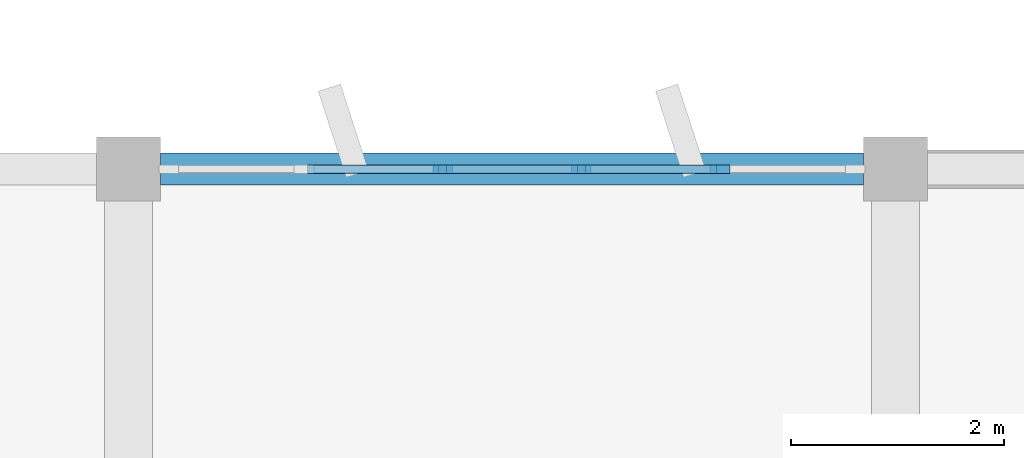
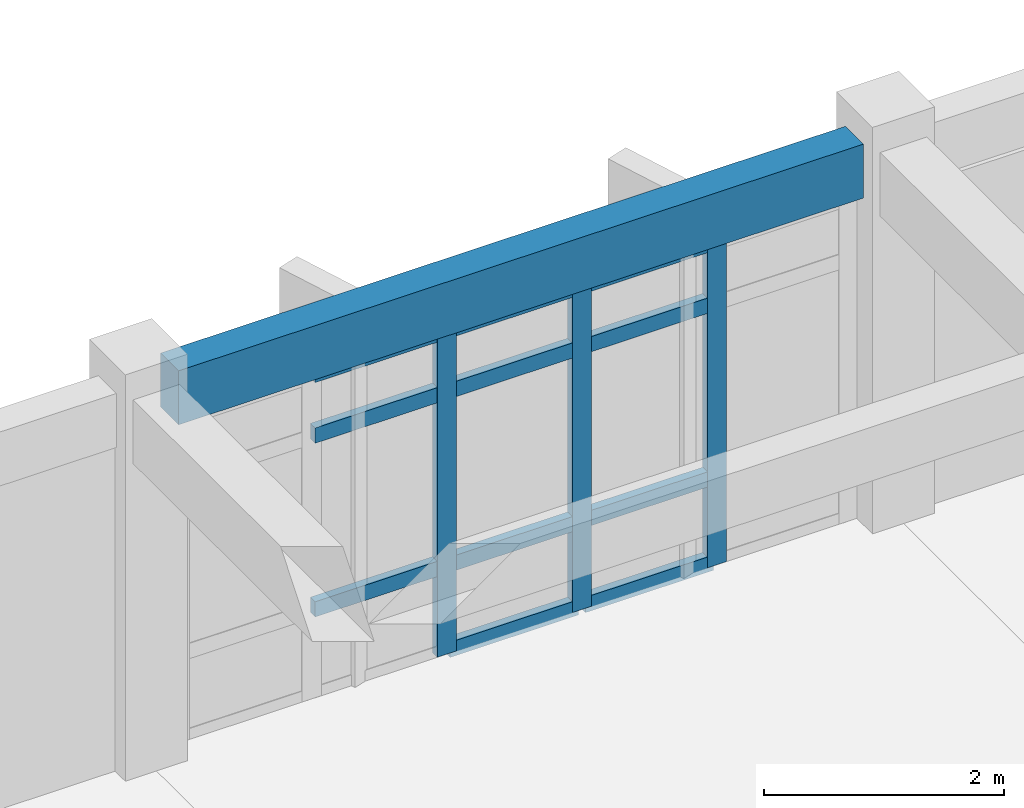
# One storey, part 21 of 62: 14 members, 1 beam, 1 element without a shape of its own.
"""IFC4 building model written with IfcOpenShell, lengths in metres."""

import ifcopenshell
import ifcopenshell.guid

model = None  # the IFC model being written
_history = None  # IfcOwnerHistory: only IFC2X3 demands one
_inside = {}  # id of a spatial element -> (the spatial element, [elements in it])
_under = {}  # id of a project, library or spatial element -> (it, [spatial elements below it])
_declared = {}  # id of a project -> (the project, [libraries it declares])
_typed = {}  # id of a type object -> (the type object, [elements of that type])
_made_of = {}  # id of a material, layer set ... -> (it, [elements and type objects made of it])


def new_model(schema):
    """Start an empty IFC model of exactly this schema.

    Asked for "IFC4X3", IfcOpenShell would pick the latest addendum, in which some entities
    have other attributes; the version numbers below select the first issue.
    IFC2X3 requires an IfcOwnerHistory on every rooted entity: one is made here for all.
    """
    global model, _history
    if schema == "IFC4X3":
        model = ifcopenshell.file(schema_version=(4, 3, 0, 0))
    else:
        model = ifcopenshell.file(schema=schema)
    _inside.clear()
    _under.clear()
    _declared.clear()
    _typed.clear()
    _made_of.clear()
    _history = None
    if model.schema == "IFC2X3":
        org = make("IfcOrganization", Name="unknown")
        user = make(
            "IfcPersonAndOrganization",
            ThePerson=make("IfcPerson", FamilyName="unknown"),
            TheOrganization=org,
        )
        app = make(
            "IfcApplication",
            ApplicationDeveloper=org,
            Version="unknown",
            ApplicationFullName="unknown",
            ApplicationIdentifier="unknown",
        )
        _history = make(
            "IfcOwnerHistory",
            OwningUser=user,
            OwningApplication=app,
            ChangeAction="ADDED",
            CreationDate=0,
        )
    return model


def make(cls, **values):
    """One entity of the class cls with the attributes given. An attribute that is None is left unset."""
    return model.create_entity(
        cls, **{name: value for name, value in values.items() if value is not None}
    )


def rooted(cls, **values):
    """An entity with a GlobalId (a new one), such as an element, a storey or a relation."""
    return make(cls, GlobalId=ifcopenshell.guid.new(), OwnerHistory=_history, **values)


def si_unit(unit_type, name, prefix=None):
    """IfcSIUnit, for example si_unit("LENGTHUNIT", "METRE", prefix="MILLI")."""
    return make("IfcSIUnit", UnitType=unit_type, Prefix=prefix, Name=name)


def assignment(units):
    """IfcUnitAssignment: the units of a project."""
    return None if units is None else make("IfcUnitAssignment", Units=units)


def point(xyz):
    """IfcCartesianPoint."""
    return None if xyz is None else make("IfcCartesianPoint", Coordinates=xyz)


def direction(xyz):
    """IfcDirection."""
    return None if xyz is None else make("IfcDirection", DirectionRatios=xyz)


def frame(location, z_axis=None, x_axis=None):
    """IfcAxis2Placement3D, a coordinate frame: its origin and axes. An axis left out is left unset."""
    return make(
        "IfcAxis2Placement3D",
        Location=point(location),
        Axis=direction(z_axis),
        RefDirection=direction(x_axis),
    )


def frame_2d(location, x_axis=None):
    """IfcAxis2Placement2D, a coordinate frame in the plane: its origin and x axis."""
    return make(
        "IfcAxis2Placement2D", Location=point(location), RefDirection=direction(x_axis)
    )


def origin():
    """The frame at (0, 0, 0) with its axes left unset."""
    return frame((0.0, 0.0, 0.0))


def origin_2d():
    """The frame at (0, 0) in the plane with its x axis left unset."""
    return frame_2d((0.0, 0.0))


def place(relative_to, where):
    """IfcLocalPlacement: puts the frame where relative to a parent placement (None: the world)."""
    return make(
        "IfcLocalPlacement", PlacementRelTo=relative_to, RelativePlacement=where
    )


def context(
    kind, dimensions, precision=None, world=None, true_north=None, identifier=None
):
    """IfcGeometricRepresentationContext, for example the 3D "Model" context."""
    return make(
        "IfcGeometricRepresentationContext",
        ContextIdentifier=identifier,
        ContextType=kind,
        CoordinateSpaceDimension=dimensions,
        Precision=precision,
        WorldCoordinateSystem=world,
        TrueNorth=true_north,
    )


def subcontext(parent, identifier, kind, view, scale=None):
    """IfcGeometricRepresentationSubContext, for example "Body" below "Model"."""
    return make(
        "IfcGeometricRepresentationSubContext",
        ContextIdentifier=identifier,
        ContextType=kind,
        ParentContext=parent,
        TargetScale=scale,
        TargetView=view,
    )


def project(units=None, contexts=None):
    """IfcProject with its units and contexts."""
    return rooted(
        "IfcProject",
        Name="project",
        RepresentationContexts=contexts,
        UnitsInContext=assignment(units),
    )


def spatial(cls, under=None, at=None, **own):
    """A site, building, storey or space (cls), placed at a placement, below another one or the project."""
    s = rooted(cls, ObjectPlacement=at, **own)
    if under is not None:
        _under.setdefault(under.id(), (under, []))[1].append(s)
    return s


def profile(cls, at=None, kind="AREA", **sizes):
    """A parametric profile (cls). Its sizes go by their IFC names, for example OverallWidth=200.0."""
    return make(cls, ProfileType=kind, Position=at, **sizes)


def rectangle(**sizes):
    """IfcRectangleProfileDef."""
    return profile("IfcRectangleProfileDef", **sizes)


def extrude(swept, where, along, depth):
    """IfcExtrudedAreaSolid: the profile swept, set in the frame where, extruded along a direction by depth."""
    return make(
        "IfcExtrudedAreaSolid",
        SweptArea=swept,
        Position=where,
        ExtrudedDirection=direction(along),
        Depth=depth,
    )


def shape(context_of_items, identifier, shape_type, items):
    """IfcShapeRepresentation: the items that make up one representation, for example the "Body"."""
    return make(
        "IfcShapeRepresentation",
        ContextOfItems=context_of_items,
        RepresentationIdentifier=identifier,
        RepresentationType=shape_type,
        Items=items,
    )


def material(Name=None, Category=None):
    """IfcMaterial."""
    return make("IfcMaterial", Name=Name, Category=Category)


def layer(
    of_material, thickness, ventilated=None, Name=None, Category=None, Priority=None
):
    """IfcMaterialLayer: one layer of a wall or slab, of a material (None: an air gap)."""
    return make(
        "IfcMaterialLayer",
        Material=of_material,
        LayerThickness=thickness,
        IsVentilated=ventilated,
        Name=Name,
        Category=Category,
        Priority=Priority,
    )


def layer_set(layers, Name=None):
    """IfcMaterialLayerSet."""
    return make("IfcMaterialLayerSet", MaterialLayers=layers, LayerSetName=Name)


def material_profile(
    of_material, cross_section, Name=None, Category=None, Priority=None
):
    """IfcMaterialProfile: a cross section and its material."""
    return make(
        "IfcMaterialProfile",
        Name=Name,
        Material=of_material,
        Profile=cross_section,
        Priority=Priority,
        Category=Category,
    )


def profile_set(profiles, Name=None, composite=None):
    """IfcMaterialProfileSet."""
    return make(
        "IfcMaterialProfileSet",
        Name=Name,
        MaterialProfiles=profiles,
        CompositeProfile=composite,
    )


def made_of(thing, what):
    """Note that an element or type object is made of a material, layer set ...; save() writes the relation."""
    if what is not None:
        _made_of.setdefault(what.id(), (what, []))[1].append(thing)
    return thing


def type_object(cls, material=None, **own):
    """A type object (cls), such as IfcWallType, which elements share."""
    return made_of(rooted(cls, **own), material)


def element(
    cls,
    number,
    at=None,
    inside=None,
    cuts=None,
    type_object=None,
    material=None,
    context=None,
    identifier="Body",
    shape_type=None,
    held_by="IfcProductDefinitionShape",
    body=None,
    shapes=None,
    **own,
):
    """One element of the class cls, such as IfcWall. Its Tag is "e" and its number.

    at: its placement. inside: the storey or other place that contains it. cuts: it is an
    opening in that element (IfcRelVoidsElement). A single representation is given by context,
    identifier, shape_type and body (its items); several are given by shapes. held_by: the class
    of the entity that holds the representations. save() writes the other relations.
    """
    e = rooted(cls, Tag="e%d" % number, ObjectPlacement=at, **own)
    if body is not None:
        shapes = [shape(context, identifier, shape_type, body)]
    if shapes is not None:
        e.Representation = make(held_by, Representations=shapes)
    if inside is not None:
        _inside.setdefault(inside.id(), (inside, []))[1].append(e)
    if cuts is not None:
        rooted(
            "IfcRelVoidsElement", RelatingBuildingElement=cuts, RelatedOpeningElement=e
        )
    if type_object is not None:
        _typed.setdefault(type_object.id(), (type_object, []))[1].append(e)
    return made_of(e, material)


def aggregate(whole, parts):
    """IfcRelAggregates: a whole, such as a stair, and the parts it consists of."""
    return rooted("IfcRelAggregates", RelatingObject=whole, RelatedObjects=parts)


def save(model, path):
    """Write the relations noted so far, then the file.

    IfcRelAggregates (storeys below a building ...), IfcRelContainedInSpatialStructure (elements
    in a storey), IfcRelDefinesByType, IfcRelAssociatesMaterial and IfcRelDeclares: one each for
    every whole, place, type object, material and project.
    """
    for whole, parts in _under.values():
        aggregate(whole, parts)
    for where, things in _inside.values():
        rooted(
            "IfcRelContainedInSpatialStructure",
            RelatedElements=things,
            RelatingStructure=where,
        )
    for kind, things in _typed.values():
        rooted("IfcRelDefinesByType", RelatedObjects=things, RelatingType=kind)
    for what, things in _made_of.values():
        rooted("IfcRelAssociatesMaterial", RelatedObjects=things, RelatingMaterial=what)
    for by, libraries in _declared.values():
        rooted("IfcRelDeclares", RelatingContext=by, RelatedDefinitions=libraries)
    model.write(path)


model = new_model("IFC4")

# Units and contexts
model_context = context("Model", 3, precision=1e-05, world=origin(), true_north=direction((0.0, 1.0)))
body_context = subcontext(model_context, "Body", "Model", "MODEL_VIEW")
ifc_project = project(units=[si_unit("LENGTHUNIT", "METRE"), si_unit("AREAUNIT", "SQUARE_METRE"), si_unit("VOLUMEUNIT", "CUBIC_METRE"), si_unit("PLANEANGLEUNIT", "RADIAN"), si_unit("MASSUNIT", "GRAM", prefix="KILO")], contexts=[model_context])

# Site, building, storey
site_placement = place(None, origin())
site = spatial("IfcSite", under=ifc_project, at=site_placement, CompositionType="ELEMENT")
building_placement = place(site_placement, origin())
building = spatial("IfcBuilding", under=site, at=building_placement, Name="Kavelor Marine Aquarium", CompositionType="ELEMENT")
storey_placement = place(building_placement, frame((0.0, 0.0, 13.5)))
storey = spatial("IfcBuildingStorey", under=building, at=storey_placement, Name="L03", CompositionType="ELEMENT", Elevation=13.5)

# Beam
ifc_material_1 = material(Name="Concrete C40/50", Category="concrete")
ifc_material_profile_1 = material_profile(ifc_material_1, rectangle(XDim=0.300048828125, YDim=0.550048828125, at=origin_2d()), Name="RC-SP 300x550")
ifc_profile_set_1 = profile_set([ifc_material_profile_1], Name="Concrete C40/50")
beam_type = type_object("IfcBeamType", Name="BM-SP2", PredefinedType="SPANDREL", material=ifc_profile_set_1)
beam_placement = place(storey_placement, frame((125.89990234375, 110.800048828125, 3.60498046875), z_axis=(1.0, 0.0, 0.0), x_axis=(0.0, 1.0, 0.0)))
element("IfcBeam", 1, at=beam_placement, inside=storey, type_object=beam_type, Name="bm:x:L03:L04:17_15", PredefinedType="SPANDREL", context=body_context, shape_type="SweptSolid", body=[
    extrude(rectangle(XDim=0.300048828125, YDim=0.550048828125, at=origin_2d()), origin(), (0.0, 0.0, 1.0), 6.60009765625),
])

# Curtain wall, members
ifc_material_2 = material(Name="Thermally Broken Aluminium and Low-E Glass", Category="aluminium")
ifc_layer = layer(ifc_material_2, 0.2041015625)
ifc_layer_set = layer_set([ifc_layer], Name="CW-SYS8")
curtain_wall_type = type_object("IfcCurtainWallType", Name="CW-SYS8", PredefinedType="USERDEFINED", material=ifc_layer_set)
curtain_wall_placement = place(storey_placement, origin())
curtain_wall = element("IfcCurtainWall", 2, at=curtain_wall_placement, inside=storey, type_object=curtain_wall_type, Name="cw:x:L03:17_15", ObjectType="Curtain Wall", PredefinedType="USERDEFINED")
ifc_material_3 = material(Name="Anodised Aluminium Alloy 6063-T6", Category="aluminium")
ifc_material_profile_2 = material_profile(ifc_material_3, rectangle(XDim=0.080078125, YDim=0.18505859375, at=origin_2d()), Name="CW-MUL 80x185")
ifc_profile_set_2 = profile_set([ifc_material_profile_2], Name="Anodised Aluminium Alloy 6063-T6")
member_type_1 = type_object("IfcMemberType", Name="CWM-2", PredefinedType="MULLION", material=ifc_profile_set_2)
member_1_placement = place(storey_placement, frame((128.549072265625, 110.800048828125, 0.0), z_axis=(0.0, 0.0, 1.0), x_axis=(0.0, 1.0, 0.0)))
member_1 = element("IfcMember", 3, at=member_1_placement, type_object=member_type_1, Name="CW08 mullion 3", PredefinedType="MULLION", context=body_context, shape_type="SweptSolid", body=[
    extrude(rectangle(XDim=0.080078125, YDim=0.18505859375, at=origin_2d()), origin(), (0.0, 0.0, 1.0), 3.320068359375),
])
member_2_placement = place(storey_placement, frame((129.85107421875, 110.800048828125, 0.0), z_axis=(0.0, 0.0, 1.0), x_axis=(0.0, 1.0, 0.0)))
member_2 = element("IfcMember", 4, at=member_2_placement, type_object=member_type_1, Name="CW08 mullion 4", PredefinedType="MULLION", context=body_context, shape_type="SweptSolid", body=[
    extrude(rectangle(XDim=0.080078125, YDim=0.18505859375, at=origin_2d()), origin(), (0.0, 0.0, 1.0), 3.320068359375),
])
member_3_placement = place(storey_placement, frame((131.153076171875, 110.800048828125, 0.0), z_axis=(0.0, 0.0, 1.0), x_axis=(0.0, 1.0, 0.0)))
member_3 = element("IfcMember", 5, at=member_3_placement, type_object=member_type_1, Name="CW08 mullion 5", PredefinedType="MULLION", context=body_context, shape_type="SweptSolid", body=[
    extrude(rectangle(XDim=0.080078125, YDim=0.18505859375, at=origin_2d()), origin(), (0.0, 0.0, 1.0), 3.320068359375),
])
ifc_material_4 = material(Name="Anodised Aluminium Alloy 6063-T6", Category="aluminium")
ifc_material_profile_3 = material_profile(ifc_material_4, rectangle(XDim=0.080078125, YDim=0.155029296875, at=origin_2d()), Name="CW-TRN 80x155")
ifc_profile_set_3 = profile_set([ifc_material_profile_3], Name="Anodised Aluminium Alloy 6063-T6")
member_type_2 = type_object("IfcMemberType", Name="CWT-2", PredefinedType="USERDEFINED", material=ifc_profile_set_3)
member_4_placement = place(storey_placement, frame((127.279541015625, 110.800048828125, 0.89990234375), z_axis=(1.0, 0.0, 0.0), x_axis=(0.0, 1.0, 0.0)))
member_4 = element("IfcMember", 6, at=member_4_placement, type_object=member_type_2, Name="CW08 transom 2.2", ObjectType="TRANSOM", PredefinedType="USERDEFINED", context=body_context, shape_type="SweptSolid", body=[
    extrude(rectangle(XDim=0.080078125, YDim=0.155029296875, at=origin_2d()), origin(), (0.0, 0.0, 1.0), 1.237060546875),
])
member_5_placement = place(storey_placement, frame((127.279541015625, 110.800048828125, 2.669921875), z_axis=(1.0, 0.0, 0.0), x_axis=(0.0, 1.0, 0.0)))
member_5 = element("IfcMember", 7, at=member_5_placement, type_object=member_type_2, Name="CW08 transom 2.3", ObjectType="TRANSOM", PredefinedType="USERDEFINED", context=body_context, shape_type="SweptSolid", body=[
    extrude(rectangle(XDim=0.080078125, YDim=0.155029296875, at=origin_2d()), origin(), (0.0, 0.0, 1.0), 1.237060546875),
])
member_6_placement = place(storey_placement, frame((127.279541015625, 110.800048828125, 3.28759765625), z_axis=(1.0, 0.0, 0.0), x_axis=(0.0, 1.0, 0.0)))
member_6 = element("IfcMember", 8, at=member_6_placement, type_object=member_type_2, Name="CW08 transom 2.4", ObjectType="TRANSOM", PredefinedType="USERDEFINED", context=body_context, shape_type="SweptSolid", body=[
    extrude(rectangle(XDim=0.080078125, YDim=0.155029296875, at=origin_2d()), origin(), (0.0, 0.0, 1.0), 1.237060546875),
])
member_7_placement = place(storey_placement, frame((128.58154296875, 110.800048828125, 0.032470703125), z_axis=(1.0, 0.0, 0.0), x_axis=(0.0, 1.0, 0.0)))
member_7 = element("IfcMember", 9, at=member_7_placement, type_object=member_type_2, Name="CW08 transom 3.1", ObjectType="TRANSOM", PredefinedType="USERDEFINED", context=body_context, shape_type="SweptSolid", body=[
    extrude(rectangle(XDim=0.080078125, YDim=0.155029296875, at=origin_2d()), origin(), (0.0, 0.0, 1.0), 1.237060546875),
])
member_8_placement = place(storey_placement, frame((128.58154296875, 110.800048828125, 0.89990234375), z_axis=(1.0, 0.0, 0.0), x_axis=(0.0, 1.0, 0.0)))
member_8 = element("IfcMember", 10, at=member_8_placement, type_object=member_type_2, Name="CW08 transom 3.2", ObjectType="TRANSOM", PredefinedType="USERDEFINED", context=body_context, shape_type="SweptSolid", body=[
    extrude(rectangle(XDim=0.080078125, YDim=0.155029296875, at=origin_2d()), origin(), (0.0, 0.0, 1.0), 1.237060546875),
])
member_9_placement = place(storey_placement, frame((128.58154296875, 110.800048828125, 2.669921875), z_axis=(1.0, 0.0, 0.0), x_axis=(0.0, 1.0, 0.0)))
member_9 = element("IfcMember", 11, at=member_9_placement, type_object=member_type_2, Name="CW08 transom 3.3", ObjectType="TRANSOM", PredefinedType="USERDEFINED", context=body_context, shape_type="SweptSolid", body=[
    extrude(rectangle(XDim=0.080078125, YDim=0.155029296875, at=origin_2d()), origin(), (0.0, 0.0, 1.0), 1.237060546875),
])
member_10_placement = place(storey_placement, frame((128.58154296875, 110.800048828125, 3.28759765625), z_axis=(1.0, 0.0, 0.0), x_axis=(0.0, 1.0, 0.0)))
member_10 = element("IfcMember", 12, at=member_10_placement, type_object=member_type_2, Name="CW08 transom 3.4", ObjectType="TRANSOM", PredefinedType="USERDEFINED", context=body_context, shape_type="SweptSolid", body=[
    extrude(rectangle(XDim=0.080078125, YDim=0.155029296875, at=origin_2d()), origin(), (0.0, 0.0, 1.0), 1.237060546875),
])
member_11_placement = place(storey_placement, frame((129.883544921875, 110.800048828125, 0.032470703125), z_axis=(1.0, 0.0, 0.0), x_axis=(0.0, 1.0, 0.0)))
member_11 = element("IfcMember", 13, at=member_11_placement, type_object=member_type_2, Name="CW08 transom 4.1", ObjectType="TRANSOM", PredefinedType="USERDEFINED", context=body_context, shape_type="SweptSolid", body=[
    extrude(rectangle(XDim=0.080078125, YDim=0.155029296875, at=origin_2d()), origin(), (0.0, 0.0, 1.0), 1.237060546875),
])
member_12_placement = place(storey_placement, frame((129.883544921875, 110.800048828125, 0.89990234375), z_axis=(1.0, 0.0, 0.0), x_axis=(0.0, 1.0, 0.0)))
member_12 = element("IfcMember", 14, at=member_12_placement, type_object=member_type_2, Name="CW08 transom 4.2", ObjectType="TRANSOM", PredefinedType="USERDEFINED", context=body_context, shape_type="SweptSolid", body=[
    extrude(rectangle(XDim=0.080078125, YDim=0.155029296875, at=origin_2d()), origin(), (0.0, 0.0, 1.0), 1.237060546875),
])
member_13_placement = place(storey_placement, frame((129.883544921875, 110.800048828125, 2.669921875), z_axis=(1.0, 0.0, 0.0), x_axis=(0.0, 1.0, 0.0)))
member_13 = element("IfcMember", 15, at=member_13_placement, type_object=member_type_2, Name="CW08 transom 4.3", ObjectType="TRANSOM", PredefinedType="USERDEFINED", context=body_context, shape_type="SweptSolid", body=[
    extrude(rectangle(XDim=0.080078125, YDim=0.155029296875, at=origin_2d()), origin(), (0.0, 0.0, 1.0), 1.237060546875),
])
member_14_placement = place(storey_placement, frame((129.883544921875, 110.800048828125, 3.28759765625), z_axis=(1.0, 0.0, 0.0), x_axis=(0.0, 1.0, 0.0)))
member_14 = element("IfcMember", 16, at=member_14_placement, type_object=member_type_2, Name="CW08 transom 4.4", ObjectType="TRANSOM", PredefinedType="USERDEFINED", context=body_context, shape_type="SweptSolid", body=[
    extrude(rectangle(XDim=0.080078125, YDim=0.155029296875, at=origin_2d()), origin(), (0.0, 0.0, 1.0), 1.237060546875),
])
aggregate(curtain_wall, [member_1, member_2, member_3, member_4, member_5, member_6, member_7, member_8, member_9, member_10, member_11, member_12, member_13, member_14])

save(model, "model.ifc")
